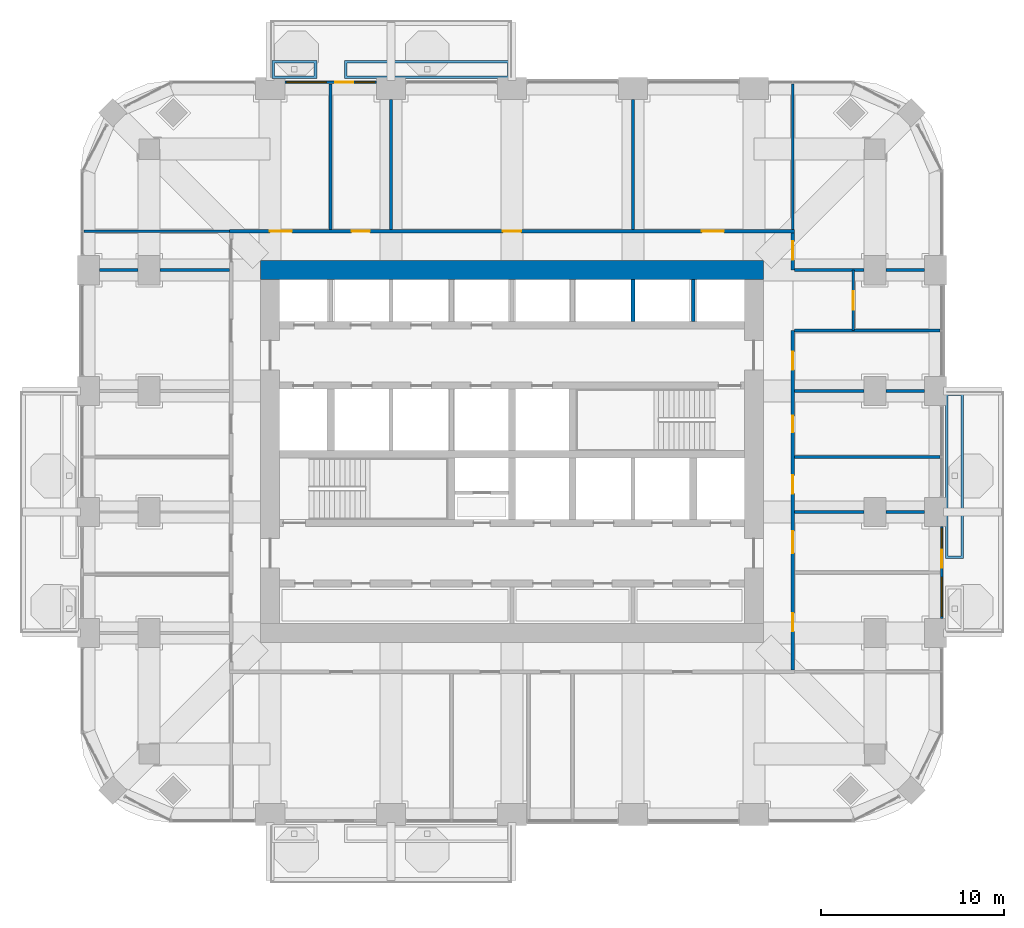
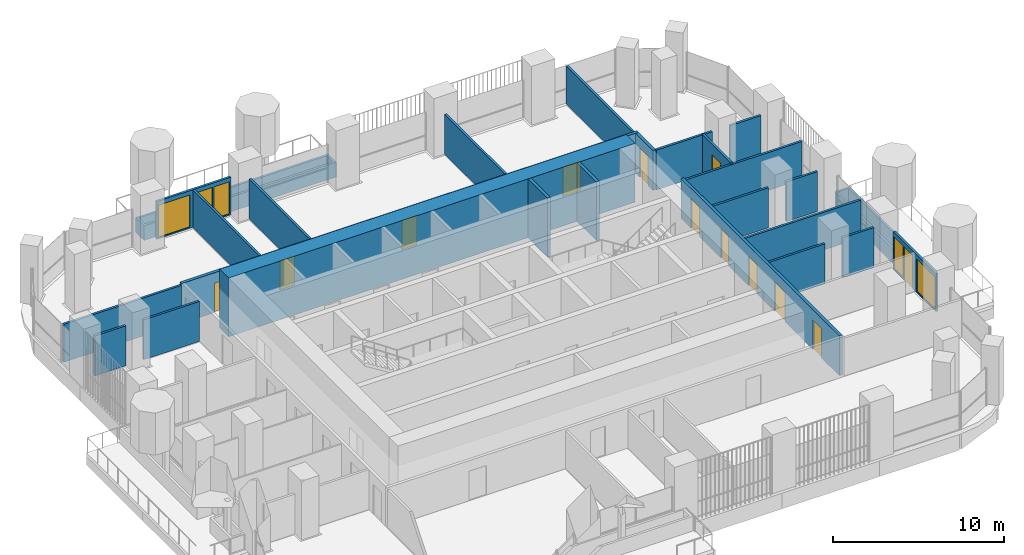
# One storey, part 14 of 20: 27 walls, 13 doors, 4 windows, 17 openings.
"""IFC4 building model written with IfcOpenShell, lengths in metres."""

from ifc_helpers import new_model, si_unit, direction, frame, frame_2d, origin, place, context, subcontext, project, spatial, polyline, rectangle, outline, extrude, material, layer, layer_set, type_object, element, fill, save


model = new_model("IFC4")

# Units and contexts
model_context = context("Model", 3, precision=1e-05, world=origin(), true_north=direction((0.0, 1.0)))
body_context = subcontext(model_context, "Body", "Model", "MODEL_VIEW")
ifc_project = project(units=[si_unit("LENGTHUNIT", "METRE"), si_unit("AREAUNIT", "SQUARE_METRE"), si_unit("VOLUMEUNIT", "CUBIC_METRE"), si_unit("PLANEANGLEUNIT", "RADIAN"), si_unit("MASSUNIT", "GRAM", prefix="KILO")], contexts=[model_context])

# Site, building, storey
site_placement = place(None, origin())
site = spatial("IfcSite", under=ifc_project, at=site_placement, CompositionType="ELEMENT")
building_placement = place(site_placement, origin())
building = spatial("IfcBuilding", under=site, at=building_placement, Name="Cobogo Forest Laboratory Tower", CompositionType="ELEMENT")
storey_placement = place(building_placement, frame((0.0, 0.0, 193.5)))
storey = spatial("IfcBuildingStorey", under=building, at=storey_placement, Name="L44", CompositionType="ELEMENT", Elevation=193.5)

# Wall
ifc_material_1 = material(Name="Concrete HA-50 (C50/60)", Category="concrete")
ifc_layer_1 = layer(ifc_material_1, 1.050048828125)
ifc_layer_set_1 = layer_set([ifc_layer_1], Name="CW1050 core outer wall 1050")
wall_type_1 = type_object("IfcWallType", Name="CW1050 core outer wall 1050", PredefinedType="SHEAR", material=ifc_layer_set_1)
wall_1_placement = place(storey_placement, frame((40.125, 33.0, 0.0), z_axis=(0.0, 0.0, 1.0), x_axis=(-1.0, 0.0, 0.0)))
element("IfcWall", 1, at=wall_1_placement, inside=storey, type_object=wall_type_1, Name="Core wall CO-N L44", PredefinedType="SHEAR", context=body_context, shape_type="SweptSolid", body=[
    extrude(rectangle(XDim=27.449951171875, YDim=1.050048828125, at=frame_2d((13.72509765625, 0.0))), origin(), (0.0, 0.0, 1.0), 4.199951171875),
])

# Wall, openings, door, windows
ifc_material_2 = material(Name="Aluminium framed glazed screen", Category="aluminium")
ifc_layer_2 = layer(ifc_material_2, 0.14990234375)
ifc_layer_set_2 = layer_set([ifc_layer_2], Name="GS1 glazed door screen 150")
wall_type_2 = type_object("IfcWallType", Name="GS1 glazed door screen 150", PredefinedType="SOLIDWALL", material=ifc_layer_set_2)
wall_2_placement = place(storey_placement, frame((49.85009765625, 14.0, 0.0), z_axis=(0.0, 0.0, 1.0), x_axis=(0.0, 1.0, 0.0)))
wall_2 = element("IfcWall", 2, at=wall_2_placement, inside=storey, type_object=wall_type_2, Name="Door screen BAL-E1 L44", PredefinedType="SOLIDWALL", context=body_context, shape_type="SweptSolid", body=[
    extrude(rectangle(XDim=5.0, YDim=0.14990234375, at=frame_2d((2.5, 0.0))), origin(), (0.0, 0.0, 1.0), 2.699951171875),
])
opening_1_placement = place(wall_2_placement, frame((2.75, 0.0, 0.0)))
opening_1 = element("IfcOpeningElement", 3, at=opening_1_placement, cuts=wall_2, Name="Opening L44-D18", PredefinedType="OPENING", context=body_context, shape_type="SweptSolid", body=[
    extrude(rectangle(XDim=1.0, YDim=2.39990234375, at=frame_2d((0.5, 1.199951171875))), frame((0.0, 0.0849609375, 0.0), z_axis=(0.0, -1.0, 0.0), x_axis=(1.0, 0.0, 0.0)), (0.0, 0.0, 1.0), 0.169921875),
])
opening_2_placement = place(wall_2_placement, frame((0.10009765625, 0.0, 0.10009765625)))
opening_2 = element("IfcOpeningElement", 4, at=opening_2_placement, cuts=wall_2, Name="Opening L44-W04", PredefinedType="OPENING", context=body_context, shape_type="SweptSolid", body=[
    extrude(rectangle(XDim=2.14990234375, YDim=2.300048828125, at=frame_2d((1.074951171875, 1.14990234375))), frame((0.0, 0.0849609375, 0.0), z_axis=(0.0, -1.0, 0.0), x_axis=(1.0, 0.0, 0.0)), (0.0, 0.0, 1.0), 0.169921875),
])
opening_3_placement = place(wall_2_placement, frame((3.85009765625, 0.0, 0.10009765625)))
opening_3 = element("IfcOpeningElement", 5, at=opening_3_placement, cuts=wall_2, Name="Opening L44-W06", PredefinedType="OPENING", context=body_context, shape_type="SweptSolid", body=[
    extrude(rectangle(XDim=1.050048828125, YDim=2.300048828125, at=frame_2d((0.52490234375, 1.14990234375))), frame((0.0, 0.0849609375, 0.0), z_axis=(0.0, -1.0, 0.0), x_axis=(1.0, 0.0, 0.0)), (0.0, 0.0, 1.0), 0.169921875),
])
ifc_material_3 = material(Name="Aluminium glazed door", Category="aluminium")
door_type_1 = type_object("IfcDoorType", Name="DB1 balcony door 1000 glazed", OperationType="SINGLE_SWING_LEFT", PredefinedType="DOOR", material=ifc_material_3)
door_1_placement = place(opening_1_placement, origin())
door_1 = element("IfcDoor", 6, at=door_1_placement, inside=storey, type_object=door_type_1, Name="Door L44-BAL-E1", OperationType="SINGLE_SWING_RIGHT", OverallHeight=2.39990234375, OverallWidth=1.0, PredefinedType="DOOR", context=body_context, shape_type="SweptSolid", body=[
    extrude(rectangle(XDim=1.0, YDim=2.39990234375, at=frame_2d((0.5, 1.199951171875))), frame((0.0, 0.02490234375, 0.0), z_axis=(0.0, -1.0, 0.0), x_axis=(1.0, 0.0, 0.0)), (0.0, 0.0, 1.0), 0.050048828125),
])
fill(opening_1, door_1)
ifc_material_4 = material(Name="Aluminium framed glazing", Category="aluminium")
window_type_1 = type_object("IfcWindowType", Name="WG13 fixed glazed light 2150x2300", PartitioningType="SINGLE_PANEL", PredefinedType="WINDOW", material=ifc_material_4)
window_1_placement = place(opening_2_placement, origin())
window_1 = element("IfcWindow", 7, at=window_1_placement, inside=storey, type_object=window_type_1, Name="Window L44-BAL-E1-1", OverallHeight=2.300048828125, OverallWidth=2.14990234375, PartitioningType="SINGLE_PANEL", PredefinedType="WINDOW", context=body_context, shape_type="SweptSolid", body=[
    extrude(rectangle(XDim=2.14990234375, YDim=2.300048828125, at=frame_2d((1.074951171875, 1.14990234375))), frame((0.0, 0.030029296875, 0.0), z_axis=(0.0, -1.0, 0.0), x_axis=(1.0, 0.0, 0.0)), (0.0, 0.0, 1.0), 0.06005859375),
])
fill(opening_2, window_1)
window_type_2 = type_object("IfcWindowType", Name="WG14 fixed glazed light 1050x2300", PartitioningType="SINGLE_PANEL", PredefinedType="WINDOW", material=ifc_material_4)
window_2_placement = place(opening_3_placement, origin())
window_2 = element("IfcWindow", 8, at=window_2_placement, inside=storey, type_object=window_type_2, Name="Window L44-BAL-E1-2", OverallHeight=2.300048828125, OverallWidth=1.050048828125, PartitioningType="SINGLE_PANEL", PredefinedType="WINDOW", context=body_context, shape_type="SweptSolid", body=[
    extrude(rectangle(XDim=1.050048828125, YDim=2.300048828125, at=frame_2d((0.52490234375, 1.14990234375))), frame((0.0, 0.030029296875, 0.0), z_axis=(0.0, -1.0, 0.0), x_axis=(1.0, 0.0, 0.0)), (0.0, 0.0, 1.0), 0.06005859375),
])
fill(opening_3, window_2)

wall_3_placement = place(storey_placement, frame((19.0, 43.25, 0.0), z_axis=(0.0, 0.0, 1.0), x_axis=(-1.0, 0.0, 0.0)))
wall_3 = element("IfcWall", 9, at=wall_3_placement, inside=storey, type_object=wall_type_2, Name="Door screen BAL-N1 L44", PredefinedType="SOLIDWALL", context=body_context, shape_type="SweptSolid", body=[
    extrude(rectangle(XDim=5.0, YDim=0.14990234375, at=frame_2d((2.5, 0.0))), origin(), (0.0, 0.0, 1.0), 2.699951171875),
])
opening_4_placement = place(wall_3_placement, frame((1.25, 0.0, 0.0)))
opening_4 = element("IfcOpeningElement", 10, at=opening_4_placement, cuts=wall_3, Name="Opening L44-D43", PredefinedType="OPENING", context=body_context, shape_type="SweptSolid", body=[
    extrude(rectangle(XDim=1.0, YDim=2.39990234375, at=frame_2d((0.5, 1.199951171875))), frame((0.0, 0.0849609375, 0.0), z_axis=(0.0, -1.0, 0.0), x_axis=(1.0, 0.0, 0.0)), (0.0, 0.0, 1.0), 0.169921875),
])
opening_5_placement = place(wall_3_placement, frame((0.10009765625, 0.0, 0.10009765625)))
opening_5 = element("IfcOpeningElement", 11, at=opening_5_placement, cuts=wall_3, Name="Opening L44-W08", PredefinedType="OPENING", context=body_context, shape_type="SweptSolid", body=[
    extrude(rectangle(XDim=1.050048828125, YDim=2.300048828125, at=frame_2d((0.52490234375, 1.14990234375))), frame((0.0, 0.0849609375, 0.0), z_axis=(0.0, -1.0, 0.0), x_axis=(1.0, 0.0, 0.0)), (0.0, 0.0, 1.0), 0.169921875),
])
opening_6_placement = place(wall_3_placement, frame((2.75, 0.0, 0.10009765625)))
opening_6 = element("IfcOpeningElement", 12, at=opening_6_placement, cuts=wall_3, Name="Opening L44-W07", PredefinedType="OPENING", context=body_context, shape_type="SweptSolid", body=[
    extrude(rectangle(XDim=2.14990234375, YDim=2.300048828125, at=frame_2d((1.074951171875, 1.14990234375))), frame((0.0, 0.0849609375, 0.0), z_axis=(0.0, -1.0, 0.0), x_axis=(1.0, 0.0, 0.0)), (0.0, 0.0, 1.0), 0.169921875),
])
door_2_placement = place(opening_4_placement, origin())
door_2 = element("IfcDoor", 13, at=door_2_placement, inside=storey, type_object=door_type_1, Name="Door L44-BAL-N1", OperationType="SINGLE_SWING_LEFT", OverallHeight=2.39990234375, OverallWidth=1.0, PredefinedType="DOOR", context=body_context, shape_type="SweptSolid", body=[
    extrude(rectangle(XDim=1.0, YDim=2.39990234375, at=frame_2d((0.5, 1.199951171875))), frame((0.0, 0.02490234375, 0.0), z_axis=(0.0, -1.0, 0.0), x_axis=(1.0, 0.0, 0.0)), (0.0, 0.0, 1.0), 0.050048828125),
])
fill(opening_4, door_2)
window_3_placement = place(opening_6_placement, origin())
window_3 = element("IfcWindow", 14, at=window_3_placement, inside=storey, type_object=window_type_1, Name="Window L44-BAL-N1-2", OverallHeight=2.300048828125, OverallWidth=2.14990234375, PartitioningType="SINGLE_PANEL", PredefinedType="WINDOW", context=body_context, shape_type="SweptSolid", body=[
    extrude(rectangle(XDim=2.14990234375, YDim=2.300048828125, at=frame_2d((1.074951171875, 1.14990234375))), frame((0.0, 0.030029296875, 0.0), z_axis=(0.0, -1.0, 0.0), x_axis=(1.0, 0.0, 0.0)), (0.0, 0.0, 1.0), 0.06005859375),
])
fill(opening_6, window_3)
window_4_placement = place(opening_5_placement, origin())
window_4 = element("IfcWindow", 15, at=window_4_placement, inside=storey, type_object=window_type_2, Name="Window L44-BAL-N1-1", OverallHeight=2.300048828125, OverallWidth=1.050048828125, PartitioningType="SINGLE_PANEL", PredefinedType="WINDOW", context=body_context, shape_type="SweptSolid", body=[
    extrude(rectangle(XDim=1.050048828125, YDim=2.300048828125, at=frame_2d((0.52490234375, 1.14990234375))), frame((0.0, 0.030029296875, 0.0), z_axis=(0.0, -1.0, 0.0), x_axis=(1.0, 0.0, 0.0)), (0.0, 0.0, 1.0), 0.06005859375),
])
fill(opening_5, window_4)

# Walls
ifc_material_5 = material(Name="Gypsum board on steel studs", Category="steel")
ifc_layer_3 = layer(ifc_material_5, 0.14990234375)
ifc_layer_set_3 = layer_set([ifc_layer_3], Name="PT1 laboratory partition 150")
wall_type_3 = type_object("IfcWallType", Name="PT1 laboratory partition 150", PredefinedType="PARTITIONING", material=ifc_layer_set_3)
wall_4_placement = place(storey_placement, frame((41.72509765625, 43.169921875, 0.0), z_axis=(0.0, 0.0, 1.0), x_axis=(0.0, -1.0, 0.0)))
element("IfcWall", 16, at=wall_4_placement, inside=storey, type_object=wall_type_3, Name="Partition PW-NE L44", PredefinedType="PARTITIONING", context=body_context, shape_type="SweptSolid", body=[
    extrude(rectangle(XDim=7.94482421875, YDim=0.14990234375, at=frame_2d((3.972412109375, 0.0))), origin(), (0.0, 0.0, 1.0), 2.699951171875),
])
for number, where, z_axis, x_axis, name in (
    (17, (3.030029296875, 35.125, 0.0), (0.0, 0.0, 1.0), (1.0, 0.0, 0.0), "Partition PW-NW L44"),
    (18, (49.77001953125, 22.800048828125, 0.0), (0.0, 0.0, 1.0), (-1.0, 0.0, 0.0), "Partition SVC-E1-1 L44"),
):
    element("IfcWall", number, at=place(storey_placement, frame(where, z_axis=z_axis, x_axis=x_axis)), inside=storey, type_object=wall_type_3, Name=name, PredefinedType="PARTITIONING", context=body_context, shape_type="SweptSolid", body=[
        extrude(rectangle(XDim=7.945068359375, YDim=0.14990234375, at=frame_2d((3.97265625, 0.0))), origin(), (0.0, 0.0, 1.0), 2.699951171875),
    ])
wall_5_placement = place(storey_placement, frame((48.89990234375, 26.39990234375, 0.0), z_axis=(0.0, 0.0, 1.0), x_axis=(-1.0, 0.0, 0.0)))
element("IfcWall", 19, at=wall_5_placement, inside=storey, type_object=wall_type_3, Name="Partition SVC-E2-1 L44", PredefinedType="PARTITIONING", context=body_context, shape_type="SweptSolid", body=[
    extrude(rectangle(XDim=2.099853515625, YDim=0.14990234375, at=frame_2d((1.0498046875, 0.0))), origin(), (0.0, 0.0, 1.0), 2.85009765625),
])
wall_6_placement = place(storey_placement, frame((45.60009765625, 26.39990234375, 0.0), z_axis=(0.0, 0.0, 1.0), x_axis=(-1.0, 0.0, 0.0)))
element("IfcWall", 20, at=wall_6_placement, inside=storey, type_object=wall_type_3, Name="Partition SVC-E2-2 L44", PredefinedType="PARTITIONING", context=body_context, shape_type="SweptSolid", body=[
    extrude(rectangle(XDim=3.775146484375, YDim=0.14990234375, at=frame_2d((1.8876953125, 0.0))), origin(), (0.0, 0.0, 1.0), 2.85009765625),
])

# Wall, opening, door
wall_7_placement = place(storey_placement, frame((45.02490234375, 29.699951171875, 0.0), z_axis=(0.0, 0.0, 1.0), x_axis=(0.0, 1.0, 0.0)))
wall_7 = element("IfcWall", 21, at=wall_7_placement, inside=storey, type_object=wall_type_3, Name="Partition NODE-E-1 L44", PredefinedType="PARTITIONING", context=body_context, shape_type="SweptSolid", body=[
    extrude(rectangle(XDim=3.300048828125, YDim=0.14990234375, at=frame_2d((1.64990234375, 0.0))), origin(), (0.0, 0.0, 1.0), 2.85009765625),
])
opening_7_placement = place(wall_7_placement, frame((1.14990234375, 0.0, 0.0)))
opening_7 = element("IfcOpeningElement", 22, at=opening_7_placement, cuts=wall_7, Name="Opening L44-D36", PredefinedType="OPENING", context=body_context, shape_type="SweptSolid", body=[
    extrude(rectangle(XDim=1.0, YDim=2.10009765625, at=frame_2d((0.5, 1.050048828125))), frame((0.0, 0.0849609375, 0.0), z_axis=(0.0, -1.0, 0.0), x_axis=(1.0, 0.0, 0.0)), (0.0, 0.0, 1.0), 0.169921875),
])
ifc_material_6 = material(Name="Timber fire door", Category="wood")
door_type_2 = type_object("IfcDoorType", Name="FD2 fire door 1000 EI2 30", OperationType="SINGLE_SWING_LEFT", PredefinedType="DOOR", material=ifc_material_6)
door_3_placement = place(opening_7_placement, origin())
door_3 = element("IfcDoor", 23, at=door_3_placement, inside=storey, type_object=door_type_2, Name="Door L44-E4", OperationType="SINGLE_SWING_RIGHT", OverallHeight=2.10009765625, OverallWidth=1.0, PredefinedType="DOOR", context=body_context, shape_type="SweptSolid", body=[
    extrude(rectangle(XDim=1.0, YDim=2.10009765625, at=frame_2d((0.5, 1.050048828125))), frame((0.0, 0.02490234375, 0.0), z_axis=(0.0, -1.0, 0.0), x_axis=(1.0, 0.0, 0.0)), (0.0, 0.0, 1.0), 0.050048828125),
])
fill(opening_7, door_3)

# Walls
wall_8_placement = place(storey_placement, frame((48.89990234375, 19.800048828125, 0.0), z_axis=(0.0, 0.0, 1.0), x_axis=(-1.0, 0.0, 0.0)))
element("IfcWall", 24, at=wall_8_placement, inside=storey, type_object=wall_type_3, Name="Partition CUT-E19.8-1 L44", PredefinedType="PARTITIONING", context=body_context, shape_type="SweptSolid", body=[
    extrude(rectangle(XDim=2.099853515625, YDim=0.14990234375, at=frame_2d((1.0498046875, 0.0))), origin(), (0.0, 0.0, 1.0), 2.85009765625),
])
wall_9_placement = place(storey_placement, frame((45.60009765625, 19.800048828125, 0.0), z_axis=(0.0, 0.0, 1.0), x_axis=(-1.0, 0.0, 0.0)))
element("IfcWall", 25, at=wall_9_placement, inside=storey, type_object=wall_type_3, Name="Partition CUT-E19.8-2 L44", PredefinedType="PARTITIONING", context=body_context, shape_type="SweptSolid", body=[
    extrude(rectangle(XDim=3.775146484375, YDim=0.14990234375, at=frame_2d((1.8876953125, 0.0))), origin(), (0.0, 0.0, 1.0), 2.85009765625),
])
wall_10_placement = place(storey_placement, frame((49.77001953125, 29.699951171875, 0.0), z_axis=(0.0, 0.0, 1.0), x_axis=(-1.0, 0.0, 0.0)))
element("IfcWall", 26, at=wall_10_placement, inside=storey, type_object=wall_type_3, Name="Partition CUT-E29.7-1 L44", PredefinedType="PARTITIONING", context=body_context, shape_type="SweptSolid", body=[
    extrude(rectangle(XDim=7.945068359375, YDim=0.14990234375, at=frame_2d((3.97265625, 0.0))), origin(), (0.0, 0.0, 1.0), 2.699951171875),
])
wall_11_placement = place(storey_placement, frame((48.89990234375, 33.0, 0.0), z_axis=(0.0, 0.0, 1.0), x_axis=(-1.0, 0.0, 0.0)))
element("IfcWall", 27, at=wall_11_placement, inside=storey, type_object=wall_type_3, Name="Partition CUT-E33-1 L44", PredefinedType="PARTITIONING", context=body_context, shape_type="SweptSolid", body=[
    extrude(rectangle(XDim=2.099853515625, YDim=0.14990234375, at=frame_2d((1.0498046875, 0.0))), origin(), (0.0, 0.0, 1.0), 2.85009765625),
])
wall_12_placement = place(storey_placement, frame((45.60009765625, 33.0, 0.0), z_axis=(0.0, 0.0, 1.0), x_axis=(-1.0, 0.0, 0.0)))
element("IfcWall", 28, at=wall_12_placement, inside=storey, type_object=wall_type_3, Name="Partition CUT-E33-2 L44", PredefinedType="PARTITIONING", context=body_context, shape_type="SweptSolid", body=[
    extrude(rectangle(XDim=3.775146484375, YDim=0.14990234375, at=frame_2d((1.8876953125, 0.0))), origin(), (0.0, 0.0, 1.0), 2.85009765625),
])
wall_13_placement = place(storey_placement, frame((16.5, 43.169921875, 0.0), z_axis=(0.0, 0.0, 1.0), x_axis=(0.0, -1.0, 0.0)))
element("IfcWall", 29, at=wall_13_placement, inside=storey, type_object=wall_type_3, Name="Partition CUT-N16.5-1 L44", PredefinedType="PARTITIONING", context=body_context, shape_type="SweptSolid", body=[
    extrude(rectangle(XDim=7.94482421875, YDim=0.14990234375, at=frame_2d((3.972412109375, 0.0))), origin(), (0.0, 0.0, 1.0), 2.699951171875),
])
for number, where, z_axis, x_axis, name in (
    (30, (19.800048828125, 42.300048828125, 0.0), (0.0, 0.0, 1.0), (0.0, -1.0, 0.0), "Partition CUT-N19.8-1 L44"),
    (31, (33.0, 42.300048828125, 0.0), (0.0, 0.0, 1.0), (0.0, -1.0, 0.0), "Partition CUT-N33-1 L44"),
):
    element("IfcWall", number, at=place(storey_placement, frame(where, z_axis=z_axis, x_axis=x_axis)), inside=storey, type_object=wall_type_3, Name=name, PredefinedType="PARTITIONING", context=body_context, shape_type="SweptSolid", body=[
        extrude(rectangle(XDim=7.074951171875, YDim=0.14990234375, at=frame_2d((3.53759765625, 0.0))), origin(), (0.0, 0.0, 1.0), 2.85009765625),
    ])
wall_14_placement = place(storey_placement, frame((3.89990234375, 33.0, 0.0), z_axis=(0.0, 0.0, 1.0), x_axis=(1.0, 0.0, 0.0)))
element("IfcWall", 32, at=wall_14_placement, inside=storey, type_object=wall_type_3, Name="Partition CUT-W33-1 L44", PredefinedType="PARTITIONING", context=body_context, shape_type="SweptSolid", body=[
    extrude(rectangle(XDim=2.10009765625, YDim=0.14990234375, at=frame_2d((1.050048828125, 0.0))), origin(), (0.0, 0.0, 1.0), 2.85009765625),
])
wall_15_placement = place(storey_placement, frame((7.199951171875, 33.0, 0.0), z_axis=(0.0, 0.0, 1.0), x_axis=(1.0, 0.0, 0.0)))
element("IfcWall", 33, at=wall_15_placement, inside=storey, type_object=wall_type_3, Name="Partition CUT-W33-2 L44", PredefinedType="PARTITIONING", context=body_context, shape_type="SweptSolid", body=[
    extrude(rectangle(XDim=3.775146484375, YDim=0.14990234375, at=frame_2d((1.8876953125, 0.0))), origin(), (0.0, 0.0, 1.0), 2.85009765625),
])

# Wall, openings, doors
ifc_layer_4 = layer(ifc_material_5, 0.199951171875)
ifc_layer_set_4 = layer_set([ifc_layer_4], Name="PT2 fire-rated corridor partition 200")
wall_type_4 = type_object("IfcWallType", Name="PT2 fire-rated corridor partition 200", PredefinedType="PARTITIONING", material=ifc_layer_set_4)
wall_16_placement = place(storey_placement, frame((10.97509765625, 35.125, 0.0), z_axis=(0.0, 0.0, 1.0), x_axis=(1.0, 0.0, 0.0)))
wall_16 = element("IfcWall", 34, at=wall_16_placement, inside=storey, type_object=wall_type_4, Name="Partition CORR-N L44", PredefinedType="PARTITIONING", context=body_context, shape_type="SweptSolid", body=[
    extrude(rectangle(XDim=30.849853515625, YDim=0.199951171875, at=frame_2d((15.4248046875, 0.0))), origin(), (0.0, 0.0, 1.0), 2.85009765625),
])
opening_8_placement = place(wall_16_placement, frame((2.21240234375, 0.0, 0.0)))
opening_8 = element("IfcOpeningElement", 35, at=opening_8_placement, cuts=wall_16, Name="Opening L44-D39", PredefinedType="OPENING", context=body_context, shape_type="SweptSolid", body=[
    extrude(rectangle(XDim=1.199951171875, YDim=2.10009765625, at=frame_2d((0.60009765625, 1.050048828125))), frame((0.0, 0.10986328125, 0.0), z_axis=(0.0, -1.0, 0.0), x_axis=(1.0, 0.0, 0.0)), (0.0, 0.0, 1.0), 0.219970703125),
])
opening_9_placement = place(wall_16_placement, frame((6.675048828125, 0.0, 0.0)))
opening_9 = element("IfcOpeningElement", 36, at=opening_9_placement, cuts=wall_16, Name="Opening L44-D40", PredefinedType="OPENING", context=body_context, shape_type="SweptSolid", body=[
    extrude(rectangle(XDim=1.0, YDim=2.10009765625, at=frame_2d((0.5, 1.050048828125))), frame((0.0, 0.10986328125, 0.0), z_axis=(0.0, -1.0, 0.0), x_axis=(1.0, 0.0, 0.0)), (0.0, 0.0, 1.0), 0.219970703125),
])
opening_10_placement = place(wall_16_placement, frame((14.925048828125, 0.0, 0.0)))
opening_10 = element("IfcOpeningElement", 37, at=opening_10_placement, cuts=wall_16, Name="Opening L44-D41", PredefinedType="OPENING", context=body_context, shape_type="SweptSolid", body=[
    extrude(rectangle(XDim=1.0, YDim=2.10009765625, at=frame_2d((0.5, 1.050048828125))), frame((0.0, 0.10986328125, 0.0), z_axis=(0.0, -1.0, 0.0), x_axis=(1.0, 0.0, 0.0)), (0.0, 0.0, 1.0), 0.219970703125),
])
opening_11_placement = place(wall_16_placement, frame((25.78759765625, 0.0, 0.0)))
opening_11 = element("IfcOpeningElement", 38, at=opening_11_placement, cuts=wall_16, Name="Opening L44-D42", PredefinedType="OPENING", context=body_context, shape_type="SweptSolid", body=[
    extrude(rectangle(XDim=1.199951171875, YDim=2.10009765625, at=frame_2d((0.60009765625, 1.050048828125))), frame((0.0, 0.10986328125, 0.0), z_axis=(0.0, -1.0, 0.0), x_axis=(1.0, 0.0, 0.0)), (0.0, 0.0, 1.0), 0.219970703125),
])
ifc_material_7 = material(Name="Timber door", Category="wood")
door_type_3 = type_object("IfcDoorType", Name="D2 laboratory door 1200 unequal pair", OperationType="DOUBLE_DOOR_SINGLE_SWING", PredefinedType="DOOR", material=ifc_material_7)
door_4_placement = place(opening_8_placement, origin())
door_4 = element("IfcDoor", 39, at=door_4_placement, inside=storey, type_object=door_type_3, Name="Door L44-N1", OperationType="DOUBLE_DOOR_SINGLE_SWING", OverallHeight=2.10009765625, OverallWidth=1.199951171875, PredefinedType="DOOR", context=body_context, shape_type="SweptSolid", body=[
    extrude(rectangle(XDim=1.199951171875, YDim=2.10009765625, at=frame_2d((0.60009765625, 1.050048828125))), frame((0.0, 0.02490234375, 0.0), z_axis=(0.0, -1.0, 0.0), x_axis=(1.0, 0.0, 0.0)), (0.0, 0.0, 1.0), 0.050048828125),
])
fill(opening_8, door_4)
door_5_placement = place(opening_11_placement, origin())
door_5 = element("IfcDoor", 40, at=door_5_placement, inside=storey, type_object=door_type_3, Name="Door L44-N4", OperationType="DOUBLE_DOOR_SINGLE_SWING", OverallHeight=2.10009765625, OverallWidth=1.199951171875, PredefinedType="DOOR", context=body_context, shape_type="SweptSolid", body=[
    extrude(rectangle(XDim=1.199951171875, YDim=2.10009765625, at=frame_2d((0.60009765625, 1.050048828125))), frame((0.0, 0.02490234375, 0.0), z_axis=(0.0, -1.0, 0.0), x_axis=(1.0, 0.0, 0.0)), (0.0, 0.0, 1.0), 0.050048828125),
])
fill(opening_11, door_5)
door_6_placement = place(opening_9_placement, origin())
door_6 = element("IfcDoor", 41, at=door_6_placement, inside=storey, type_object=door_type_2, Name="Door L44-N2", OperationType="SINGLE_SWING_LEFT", OverallHeight=2.10009765625, OverallWidth=1.0, PredefinedType="DOOR", context=body_context, shape_type="SweptSolid", body=[
    extrude(rectangle(XDim=1.0, YDim=2.10009765625, at=frame_2d((0.5, 1.050048828125))), frame((0.0, 0.02490234375, 0.0), z_axis=(0.0, -1.0, 0.0), x_axis=(1.0, 0.0, 0.0)), (0.0, 0.0, 1.0), 0.050048828125),
])
fill(opening_9, door_6)
door_7_placement = place(opening_10_placement, origin())
door_7 = element("IfcDoor", 42, at=door_7_placement, inside=storey, type_object=door_type_2, Name="Door L44-N3", OperationType="SINGLE_SWING_RIGHT", OverallHeight=2.10009765625, OverallWidth=1.0, PredefinedType="DOOR", context=body_context, shape_type="SweptSolid", body=[
    extrude(rectangle(XDim=1.0, YDim=2.10009765625, at=frame_2d((0.5, 1.050048828125))), frame((0.0, 0.02490234375, 0.0), z_axis=(0.0, -1.0, 0.0), x_axis=(1.0, 0.0, 0.0)), (0.0, 0.0, 1.0), 0.050048828125),
])
fill(opening_10, door_7)

wall_17_placement = place(storey_placement, frame((41.72509765625, 11.175048828125, 0.0), z_axis=(0.0, 0.0, 1.0), x_axis=(0.0, 1.0, 0.0)))
wall_17 = element("IfcWall", 43, at=wall_17_placement, inside=storey, type_object=wall_type_4, Name="Partition CORR-E-1 L44", PredefinedType="PARTITIONING", context=body_context, shape_type="SweptSolid", body=[
    extrude(rectangle(XDim=18.52490234375, YDim=0.199951171875, at=frame_2d((9.262451171875, 0.0))), origin(), (0.0, 0.0, 1.0), 2.85009765625),
])
opening_12_placement = place(wall_17_placement, frame((2.112548828125, 0.0, 0.0)))
opening_12 = element("IfcOpeningElement", 44, at=opening_12_placement, cuts=wall_17, Name="Opening L44-D07", PredefinedType="OPENING", context=body_context, shape_type="SweptSolid", body=[
    extrude(rectangle(XDim=1.0, YDim=2.10009765625, at=frame_2d((0.5, 1.050048828125))), frame((0.0, 0.10986328125, 0.0), z_axis=(0.0, -1.0, 0.0), x_axis=(1.0, 0.0, 0.0)), (0.0, 0.0, 1.0), 0.219970703125),
])
opening_13_placement = place(wall_17_placement, frame((6.375, 0.0, 0.0)))
opening_13 = element("IfcOpeningElement", 45, at=opening_13_placement, cuts=wall_17, Name="Opening L44-D22", PredefinedType="OPENING", context=body_context, shape_type="SweptSolid", body=[
    extrude(rectangle(XDim=1.199951171875, YDim=2.10009765625, at=frame_2d((0.60009765625, 1.050048828125))), frame((0.0, 0.10986328125, 0.0), z_axis=(0.0, -1.0, 0.0), x_axis=(1.0, 0.0, 0.0)), (0.0, 0.0, 1.0), 0.219970703125),
])
opening_14_placement = place(wall_17_placement, frame((9.625, 0.0, 0.0)))
opening_14 = element("IfcOpeningElement", 46, at=opening_14_placement, cuts=wall_17, Name="Opening L44-D28", PredefinedType="OPENING", context=body_context, shape_type="SweptSolid", body=[
    extrude(rectangle(XDim=1.0, YDim=2.10009765625, at=frame_2d((0.5, 1.050048828125))), frame((0.0, 0.10986328125, 0.0), z_axis=(0.0, -1.0, 0.0), x_axis=(1.0, 0.0, 0.0)), (0.0, 0.0, 1.0), 0.219970703125),
])
opening_15_placement = place(wall_17_placement, frame((12.97509765625, 0.0, 0.0)))
opening_15 = element("IfcOpeningElement", 47, at=opening_15_placement, cuts=wall_17, Name="Opening L44-D30", PredefinedType="OPENING", context=body_context, shape_type="SweptSolid", body=[
    extrude(rectangle(XDim=0.89990234375, YDim=2.10009765625, at=frame_2d((0.449951171875, 1.050048828125))), frame((0.0, 0.10986328125, 0.0), z_axis=(0.0, -1.0, 0.0), x_axis=(1.0, 0.0, 0.0)), (0.0, 0.0, 1.0), 0.219970703125),
])
opening_16_placement = place(wall_17_placement, frame((16.375, 0.0, 0.0)))
opening_16 = element("IfcOpeningElement", 48, at=opening_16_placement, cuts=wall_17, Name="Opening L44-D32", PredefinedType="OPENING", context=body_context, shape_type="SweptSolid", body=[
    extrude(rectangle(XDim=1.0, YDim=2.10009765625, at=frame_2d((0.5, 1.050048828125))), frame((0.0, 0.10986328125, 0.0), z_axis=(0.0, -1.0, 0.0), x_axis=(1.0, 0.0, 0.0)), (0.0, 0.0, 1.0), 0.219970703125),
])
door_8_placement = place(opening_13_placement, origin())
door_8 = element("IfcDoor", 49, at=door_8_placement, inside=storey, type_object=door_type_3, Name="Door L44-E2", OperationType="DOUBLE_DOOR_SINGLE_SWING", OverallHeight=2.10009765625, OverallWidth=1.199951171875, PredefinedType="DOOR", context=body_context, shape_type="SweptSolid", body=[
    extrude(rectangle(XDim=1.199951171875, YDim=2.10009765625, at=frame_2d((0.60009765625, 1.050048828125))), frame((0.0, 0.02490234375, 0.0), z_axis=(0.0, -1.0, 0.0), x_axis=(1.0, 0.0, 0.0)), (0.0, 0.0, 1.0), 0.050048828125),
])
fill(opening_13, door_8)
ifc_material_8 = material(Name="Steel fire door", Category="steel")
door_type_4 = type_object("IfcDoorType", Name="FD1 fire door 1000 EI2 60", OperationType="SINGLE_SWING_LEFT", PredefinedType="DOOR", material=ifc_material_8)
door_9_placement = place(opening_14_placement, origin())
door_9 = element("IfcDoor", 50, at=door_9_placement, inside=storey, type_object=door_type_4, Name="Door L44-ELEC", OperationType="SINGLE_SWING_RIGHT", OverallHeight=2.10009765625, OverallWidth=1.0, PredefinedType="DOOR", context=body_context, shape_type="SweptSolid", body=[
    extrude(rectangle(XDim=1.0, YDim=2.10009765625, at=frame_2d((0.5, 1.050048828125))), frame((0.0, 0.02490234375, 0.0), z_axis=(0.0, -1.0, 0.0), x_axis=(1.0, 0.0, 0.0)), (0.0, 0.0, 1.0), 0.050048828125),
])
fill(opening_14, door_9)
door_10_placement = place(opening_12_placement, origin())
door_10 = element("IfcDoor", 51, at=door_10_placement, inside=storey, type_object=door_type_2, Name="Door L44-E1", OperationType="SINGLE_SWING_LEFT", OverallHeight=2.10009765625, OverallWidth=1.0, PredefinedType="DOOR", context=body_context, shape_type="SweptSolid", body=[
    extrude(rectangle(XDim=1.0, YDim=2.10009765625, at=frame_2d((0.5, 1.050048828125))), frame((0.0, 0.02490234375, 0.0), z_axis=(0.0, -1.0, 0.0), x_axis=(1.0, 0.0, 0.0)), (0.0, 0.0, 1.0), 0.050048828125),
])
fill(opening_12, door_10)
door_11_placement = place(opening_16_placement, origin())
door_11 = element("IfcDoor", 52, at=door_11_placement, inside=storey, type_object=door_type_2, Name="Door L44-E3", OperationType="SINGLE_SWING_RIGHT", OverallHeight=2.10009765625, OverallWidth=1.0, PredefinedType="DOOR", context=body_context, shape_type="SweptSolid", body=[
    extrude(rectangle(XDim=1.0, YDim=2.10009765625, at=frame_2d((0.5, 1.050048828125))), frame((0.0, 0.02490234375, 0.0), z_axis=(0.0, -1.0, 0.0), x_axis=(1.0, 0.0, 0.0)), (0.0, 0.0, 1.0), 0.050048828125),
])
fill(opening_16, door_11)
door_type_5 = type_object("IfcDoorType", Name="FD4 riser access door 900 EI2 60", OperationType="SINGLE_SWING_LEFT", PredefinedType="DOOR", material=ifc_material_8)
door_12_placement = place(opening_15_placement, origin())
door_12 = element("IfcDoor", 53, at=door_12_placement, inside=storey, type_object=door_type_5, Name="Door L44-COMMS", OperationType="SINGLE_SWING_RIGHT", OverallHeight=2.10009765625, OverallWidth=0.89990234375, PredefinedType="DOOR", context=body_context, shape_type="SweptSolid", body=[
    extrude(rectangle(XDim=0.89990234375, YDim=2.10009765625, at=frame_2d((0.449951171875, 1.050048828125))), frame((0.0, 0.02490234375, 0.0), z_axis=(0.0, -1.0, 0.0), x_axis=(1.0, 0.0, 0.0)), (0.0, 0.0, 1.0), 0.050048828125),
])
fill(opening_15, door_12)

# Wall, opening, door
wall_18_placement = place(storey_placement, frame((41.72509765625, 33.0, 0.0), z_axis=(0.0, 0.0, 1.0), x_axis=(0.0, 1.0, 0.0)))
wall_18 = element("IfcWall", 54, at=wall_18_placement, inside=storey, type_object=wall_type_4, Name="Partition CORR-E-2 L44", PredefinedType="PARTITIONING", context=body_context, shape_type="SweptSolid", body=[
    extrude(rectangle(XDim=2.02490234375, YDim=0.199951171875, at=frame_2d((1.012451171875, 0.0))), origin(), (0.0, 0.0, 1.0), 2.85009765625),
])
opening_17_placement = place(wall_18_placement, frame((0.5625, 0.0, 0.0)))
opening_17 = element("IfcOpeningElement", 55, at=opening_17_placement, cuts=wall_18, Name="Opening L44-D38", PredefinedType="OPENING", context=body_context, shape_type="SweptSolid", body=[
    extrude(rectangle(XDim=1.0, YDim=2.10009765625, at=frame_2d((0.5, 1.050048828125))), frame((0.0, 0.10986328125, 0.0), z_axis=(0.0, -1.0, 0.0), x_axis=(1.0, 0.0, 0.0)), (0.0, 0.0, 1.0), 0.219970703125),
])
door_13_placement = place(opening_17_placement, origin())
door_13 = element("IfcDoor", 56, at=door_13_placement, inside=storey, type_object=door_type_2, Name="Door L44-E5", OperationType="SINGLE_SWING_RIGHT", OverallHeight=2.10009765625, OverallWidth=1.0, PredefinedType="DOOR", context=body_context, shape_type="SweptSolid", body=[
    extrude(rectangle(XDim=1.0, YDim=2.10009765625, at=frame_2d((0.5, 1.050048828125))), frame((0.0, 0.02490234375, 0.0), z_axis=(0.0, -1.0, 0.0), x_axis=(1.0, 0.0, 0.0)), (0.0, 0.0, 1.0), 0.050048828125),
])
fill(opening_17, door_13)

# Walls
ifc_material_9 = material(Name="Concrete HA-40 (C40/50)", Category="concrete")
ifc_layer_5 = layer(ifc_material_9, 0.14990234375)
ifc_layer_set_5 = layer_set([ifc_layer_5], Name="Planter box 1000x1050")
wall_type_5 = type_object("IfcWallType", Name="Planter box 1000x1050", PredefinedType="USERDEFINED", material=ifc_layer_set_5)
wall_19_placement = place(storey_placement, origin())
element("IfcWall", 57, at=wall_19_placement, inside=storey, type_object=wall_type_5, Name="Planter BAL-E1-2 L44", ObjectType="PLANTER", PredefinedType="USERDEFINED", context=body_context, shape_type="SweptSolid", body=[
    extrude(outline(polyline([(50.050048828125, 17.25), (51.050048828125, 17.25), (51.050048828125, 26.300048828125), (50.050048828125, 26.300048828125), (50.050048828125, 17.25)]), holes=[polyline([(50.199951171875, 17.39990234375), (50.89990234375, 17.39990234375), (50.89990234375, 26.14990234375), (50.199951171875, 26.14990234375), (50.199951171875, 17.39990234375)])]), origin(), (0.0, 0.0, 1.0), 1.050048828125),
])
wall_20_placement = place(storey_placement, origin())
element("IfcWall", 58, at=wall_20_placement, inside=storey, type_object=wall_type_5, Name="Planter BAL-N1-1 L44", ObjectType="PLANTER", PredefinedType="USERDEFINED", context=body_context, shape_type="SweptSolid", body=[
    extrude(outline(polyline([(13.300048828125, 43.449951171875), (15.75, 43.449951171875), (15.75, 44.449951171875), (13.300048828125, 44.449951171875), (13.300048828125, 43.449951171875)]), holes=[polyline([(13.449951171875, 43.60009765625), (15.60009765625, 43.60009765625), (15.60009765625, 44.300048828125), (13.449951171875, 44.300048828125), (13.449951171875, 43.60009765625)])]), origin(), (0.0, 0.0, 1.0), 1.050048828125),
])
wall_21_placement = place(storey_placement, origin())
element("IfcWall", 59, at=wall_21_placement, inside=storey, type_object=wall_type_5, Name="Planter BAL-N1-2 L44", ObjectType="PLANTER", PredefinedType="USERDEFINED", context=body_context, shape_type="SweptSolid", body=[
    extrude(outline(polyline([(17.25, 43.449951171875), (26.300048828125, 43.449951171875), (26.300048828125, 44.449951171875), (17.25, 44.449951171875), (17.25, 43.449951171875)]), holes=[polyline([(17.39990234375, 43.60009765625), (26.14990234375, 43.60009765625), (26.14990234375, 44.300048828125), (17.39990234375, 44.300048828125), (17.39990234375, 43.60009765625)])]), origin(), (0.0, 0.0, 1.0), 1.050048828125),
])
ifc_material_10 = material(Name="Concrete block", Category="concrete")
ifc_layer_6 = layer(ifc_material_10, 0.199951171875)
ifc_layer_set_6 = layer_set([ifc_layer_6], Name="SW200 lift shaft separator 200")
wall_type_6 = type_object("IfcWallType", Name="SW200 lift shaft separator 200", PredefinedType="PARTITIONING", material=ifc_layer_set_6)
for number, where, z_axis, x_axis, name in (
    (60, (33.0, 30.199951171875, 0.0), (0.0, 0.0, 1.0), (0.0, 1.0, 0.0), "Core wall SEP-N6 L44"),
    (61, (36.300048828125, 30.199951171875, 0.0), (0.0, 0.0, 1.0), (0.0, 1.0, 0.0), "Core wall SEP-N7 L44"),
):
    element("IfcWall", number, at=place(storey_placement, frame(where, z_axis=z_axis, x_axis=x_axis)), inside=storey, type_object=wall_type_6, Name=name, PredefinedType="PARTITIONING", context=body_context, shape_type="SweptSolid", body=[
        extrude(rectangle(XDim=2.275146484375, YDim=0.199951171875, at=frame_2d((1.1376953125, 0.0))), origin(), (0.0, 0.0, 1.0), 4.199951171875),
    ])

save(model, "model.ifc")
